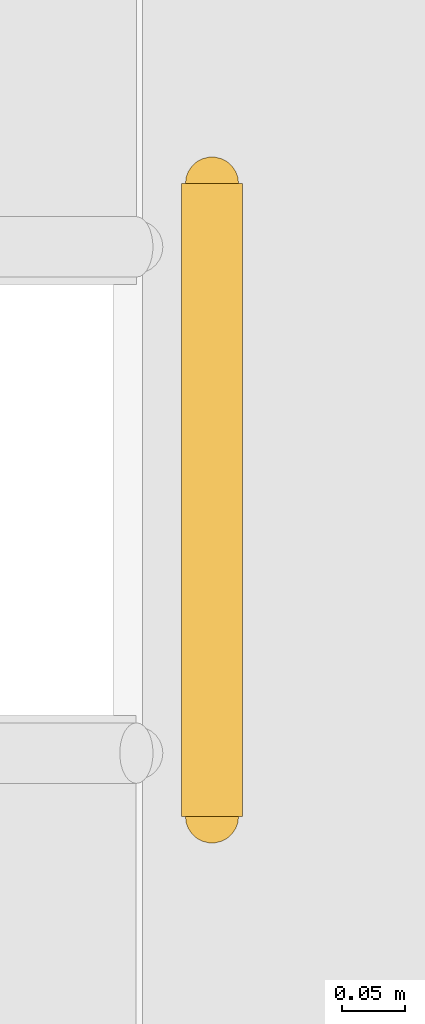
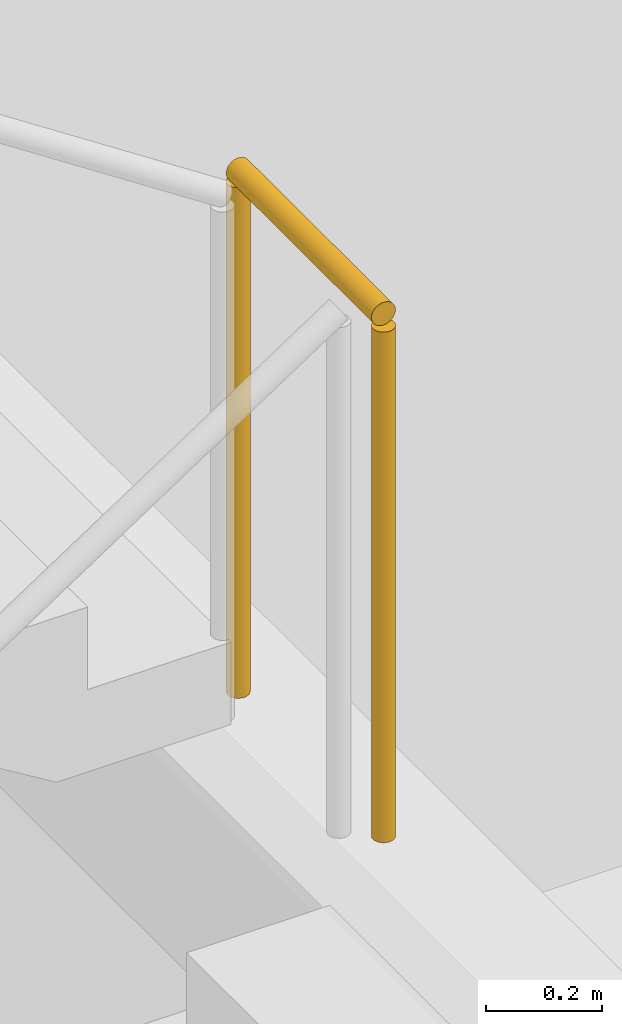
# One storey, part 77 of 77: 1 railing.
"""IFC4 building model written with IfcOpenShell, lengths in metres."""

import ifcopenshell
import ifcopenshell.guid

model = None  # the IFC model being written
_history = None  # IfcOwnerHistory: only IFC2X3 demands one
_inside = {}  # id of a spatial element -> (the spatial element, [elements in it])
_under = {}  # id of a project, library or spatial element -> (it, [spatial elements below it])
_declared = {}  # id of a project -> (the project, [libraries it declares])
_typed = {}  # id of a type object -> (the type object, [elements of that type])
_made_of = {}  # id of a material, layer set ... -> (it, [elements and type objects made of it])


def new_model(schema):
    """Start an empty IFC model of exactly this schema.

    Asked for "IFC4X3", IfcOpenShell would pick the latest addendum, in which some entities
    have other attributes; the version numbers below select the first issue.
    IFC2X3 requires an IfcOwnerHistory on every rooted entity: one is made here for all.
    """
    global model, _history
    if schema == "IFC4X3":
        model = ifcopenshell.file(schema_version=(4, 3, 0, 0))
    else:
        model = ifcopenshell.file(schema=schema)
    _inside.clear()
    _under.clear()
    _declared.clear()
    _typed.clear()
    _made_of.clear()
    _history = None
    if model.schema == "IFC2X3":
        org = make("IfcOrganization", Name="unknown")
        user = make(
            "IfcPersonAndOrganization",
            ThePerson=make("IfcPerson", FamilyName="unknown"),
            TheOrganization=org,
        )
        app = make(
            "IfcApplication",
            ApplicationDeveloper=org,
            Version="unknown",
            ApplicationFullName="unknown",
            ApplicationIdentifier="unknown",
        )
        _history = make(
            "IfcOwnerHistory",
            OwningUser=user,
            OwningApplication=app,
            ChangeAction="ADDED",
            CreationDate=0,
        )
    return model


def make(cls, **values):
    """One entity of the class cls with the attributes given. An attribute that is None is left unset."""
    return model.create_entity(
        cls, **{name: value for name, value in values.items() if value is not None}
    )


def rooted(cls, **values):
    """An entity with a GlobalId (a new one), such as an element, a storey or a relation."""
    return make(cls, GlobalId=ifcopenshell.guid.new(), OwnerHistory=_history, **values)


def si_unit(unit_type, name, prefix=None):
    """IfcSIUnit, for example si_unit("LENGTHUNIT", "METRE", prefix="MILLI")."""
    return make("IfcSIUnit", UnitType=unit_type, Prefix=prefix, Name=name)


def assignment(units):
    """IfcUnitAssignment: the units of a project."""
    return None if units is None else make("IfcUnitAssignment", Units=units)


def point(xyz):
    """IfcCartesianPoint."""
    return None if xyz is None else make("IfcCartesianPoint", Coordinates=xyz)


def direction(xyz):
    """IfcDirection."""
    return None if xyz is None else make("IfcDirection", DirectionRatios=xyz)


def frame(location, z_axis=None, x_axis=None):
    """IfcAxis2Placement3D, a coordinate frame: its origin and axes. An axis left out is left unset."""
    return make(
        "IfcAxis2Placement3D",
        Location=point(location),
        Axis=direction(z_axis),
        RefDirection=direction(x_axis),
    )


def frame_2d(location, x_axis=None):
    """IfcAxis2Placement2D, a coordinate frame in the plane: its origin and x axis."""
    return make(
        "IfcAxis2Placement2D", Location=point(location), RefDirection=direction(x_axis)
    )


def origin():
    """The frame at (0, 0, 0) with its axes left unset."""
    return frame((0.0, 0.0, 0.0))


def origin_2d():
    """The frame at (0, 0) in the plane with its x axis left unset."""
    return frame_2d((0.0, 0.0))


def place(relative_to, where):
    """IfcLocalPlacement: puts the frame where relative to a parent placement (None: the world)."""
    return make(
        "IfcLocalPlacement", PlacementRelTo=relative_to, RelativePlacement=where
    )


def context(
    kind, dimensions, precision=None, world=None, true_north=None, identifier=None
):
    """IfcGeometricRepresentationContext, for example the 3D "Model" context."""
    return make(
        "IfcGeometricRepresentationContext",
        ContextIdentifier=identifier,
        ContextType=kind,
        CoordinateSpaceDimension=dimensions,
        Precision=precision,
        WorldCoordinateSystem=world,
        TrueNorth=true_north,
    )


def subcontext(parent, identifier, kind, view, scale=None):
    """IfcGeometricRepresentationSubContext, for example "Body" below "Model"."""
    return make(
        "IfcGeometricRepresentationSubContext",
        ContextIdentifier=identifier,
        ContextType=kind,
        ParentContext=parent,
        TargetScale=scale,
        TargetView=view,
    )


def project(units=None, contexts=None):
    """IfcProject with its units and contexts."""
    return rooted(
        "IfcProject",
        Name="project",
        RepresentationContexts=contexts,
        UnitsInContext=assignment(units),
    )


def spatial(cls, under=None, at=None, **own):
    """A site, building, storey or space (cls), placed at a placement, below another one or the project."""
    s = rooted(cls, ObjectPlacement=at, **own)
    if under is not None:
        _under.setdefault(under.id(), (under, []))[1].append(s)
    return s


def profile(cls, at=None, kind="AREA", **sizes):
    """A parametric profile (cls). Its sizes go by their IFC names, for example OverallWidth=200.0."""
    return make(cls, ProfileType=kind, Position=at, **sizes)


def circle(**sizes):
    """IfcCircleProfileDef."""
    return profile("IfcCircleProfileDef", **sizes)


def extrude(swept, where, along, depth):
    """IfcExtrudedAreaSolid: the profile swept, set in the frame where, extruded along a direction by depth."""
    return make(
        "IfcExtrudedAreaSolid",
        SweptArea=swept,
        Position=where,
        ExtrudedDirection=direction(along),
        Depth=depth,
    )


def shape(context_of_items, identifier, shape_type, items):
    """IfcShapeRepresentation: the items that make up one representation, for example the "Body"."""
    return make(
        "IfcShapeRepresentation",
        ContextOfItems=context_of_items,
        RepresentationIdentifier=identifier,
        RepresentationType=shape_type,
        Items=items,
    )


def material(Name=None, Category=None):
    """IfcMaterial."""
    return make("IfcMaterial", Name=Name, Category=Category)


def layer(
    of_material, thickness, ventilated=None, Name=None, Category=None, Priority=None
):
    """IfcMaterialLayer: one layer of a wall or slab, of a material (None: an air gap)."""
    return make(
        "IfcMaterialLayer",
        Material=of_material,
        LayerThickness=thickness,
        IsVentilated=ventilated,
        Name=Name,
        Category=Category,
        Priority=Priority,
    )


def layer_set(layers, Name=None):
    """IfcMaterialLayerSet."""
    return make("IfcMaterialLayerSet", MaterialLayers=layers, LayerSetName=Name)


def made_of(thing, what):
    """Note that an element or type object is made of a material, layer set ...; save() writes the relation."""
    if what is not None:
        _made_of.setdefault(what.id(), (what, []))[1].append(thing)
    return thing


def type_object(cls, material=None, **own):
    """A type object (cls), such as IfcWallType, which elements share."""
    return made_of(rooted(cls, **own), material)


def element(
    cls,
    number,
    at=None,
    inside=None,
    cuts=None,
    type_object=None,
    material=None,
    context=None,
    identifier="Body",
    shape_type=None,
    held_by="IfcProductDefinitionShape",
    body=None,
    shapes=None,
    **own,
):
    """One element of the class cls, such as IfcWall. Its Tag is "e" and its number.

    at: its placement. inside: the storey or other place that contains it. cuts: it is an
    opening in that element (IfcRelVoidsElement). A single representation is given by context,
    identifier, shape_type and body (its items); several are given by shapes. held_by: the class
    of the entity that holds the representations. save() writes the other relations.
    """
    e = rooted(cls, Tag="e%d" % number, ObjectPlacement=at, **own)
    if body is not None:
        shapes = [shape(context, identifier, shape_type, body)]
    if shapes is not None:
        e.Representation = make(held_by, Representations=shapes)
    if inside is not None:
        _inside.setdefault(inside.id(), (inside, []))[1].append(e)
    if cuts is not None:
        rooted(
            "IfcRelVoidsElement", RelatingBuildingElement=cuts, RelatedOpeningElement=e
        )
    if type_object is not None:
        _typed.setdefault(type_object.id(), (type_object, []))[1].append(e)
    return made_of(e, material)


def aggregate(whole, parts):
    """IfcRelAggregates: a whole, such as a stair, and the parts it consists of."""
    return rooted("IfcRelAggregates", RelatingObject=whole, RelatedObjects=parts)


def save(model, path):
    """Write the relations noted so far, then the file.

    IfcRelAggregates (storeys below a building ...), IfcRelContainedInSpatialStructure (elements
    in a storey), IfcRelDefinesByType, IfcRelAssociatesMaterial and IfcRelDeclares: one each for
    every whole, place, type object, material and project.
    """
    for whole, parts in _under.values():
        aggregate(whole, parts)
    for where, things in _inside.values():
        rooted(
            "IfcRelContainedInSpatialStructure",
            RelatedElements=things,
            RelatingStructure=where,
        )
    for kind, things in _typed.values():
        rooted("IfcRelDefinesByType", RelatedObjects=things, RelatingType=kind)
    for what, things in _made_of.values():
        rooted("IfcRelAssociatesMaterial", RelatedObjects=things, RelatingMaterial=what)
    for by, libraries in _declared.values():
        rooted("IfcRelDeclares", RelatingContext=by, RelatedDefinitions=libraries)
    model.write(path)


model = new_model("IFC4")

# Units and contexts
model_context = context("Model", 3, precision=1e-05, world=origin(), true_north=direction((0.0, 1.0)))
body_context = subcontext(model_context, "Body", "Model", "MODEL_VIEW")
ifc_project = project(units=[si_unit("LENGTHUNIT", "METRE"), si_unit("AREAUNIT", "SQUARE_METRE"), si_unit("VOLUMEUNIT", "CUBIC_METRE"), si_unit("PLANEANGLEUNIT", "RADIAN"), si_unit("MASSUNIT", "GRAM", prefix="KILO")], contexts=[model_context])

# Site, building, storey
site_placement = place(None, origin())
site = spatial("IfcSite", under=ifc_project, at=site_placement, CompositionType="ELEMENT")
building_placement = place(site_placement, origin())
building = spatial("IfcBuilding", under=site, at=building_placement, Name="Meriwether Solvik Hall", CompositionType="ELEMENT")
storey_placement = place(building_placement, frame((0.0, 0.0, 9.89990234375)))
storey = spatial("IfcBuildingStorey", under=building, at=storey_placement, Name="L02", CompositionType="ELEMENT", Elevation=9.89990234375)

# Railing
ifc_material = material(Name="Steel A36 Galvanised", Category="steel")
ifc_layer = layer(ifc_material, 0.054931640625)
ifc_layer_set = layer_set([ifc_layer], Name="Steel A36 Galvanised")
railing_type = type_object("IfcRailingType", Name="RAIL-STR-GUARD", PredefinedType="GUARDRAIL", material=ifc_layer_set)
railing_placement = place(storey_placement, frame((146.429931640625, 60.75, 2.25)))
element("IfcRailing", 1, at=railing_placement, inside=storey, type_object=railing_type, Name="Stair ST-05 Landing Guardrail (L02)", PredefinedType="GUARDRAIL", context=body_context, shape_type="SweptSolid", body=[
    extrude(circle(Radius=0.02392578125, at=origin_2d()), frame((0.0, 0.0, 1.09619140625), z_axis=(0.0, 1.0, 0.0), x_axis=(-1.0, 0.0, 0.0)), (0.0, 0.0, 1.0), 0.5),
    extrude(circle(Radius=0.02099609375, at=origin_2d()), origin(), (0.0, 0.0, 1.0), 1.072021484375),
    extrude(circle(Radius=0.02099609375, at=origin_2d()), frame((0.0, 0.5, 0.0)), (0.0, 0.0, 1.0), 1.072021484375),
])

save(model, "model.ifc")
